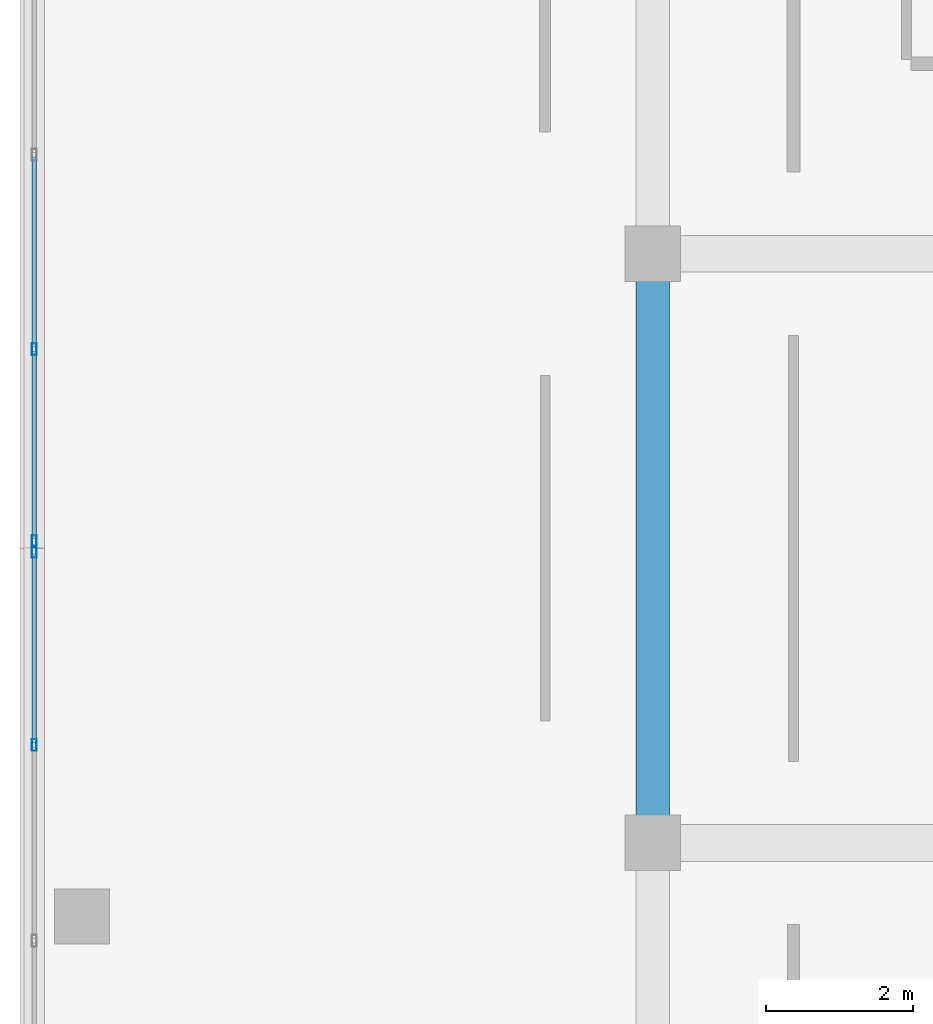
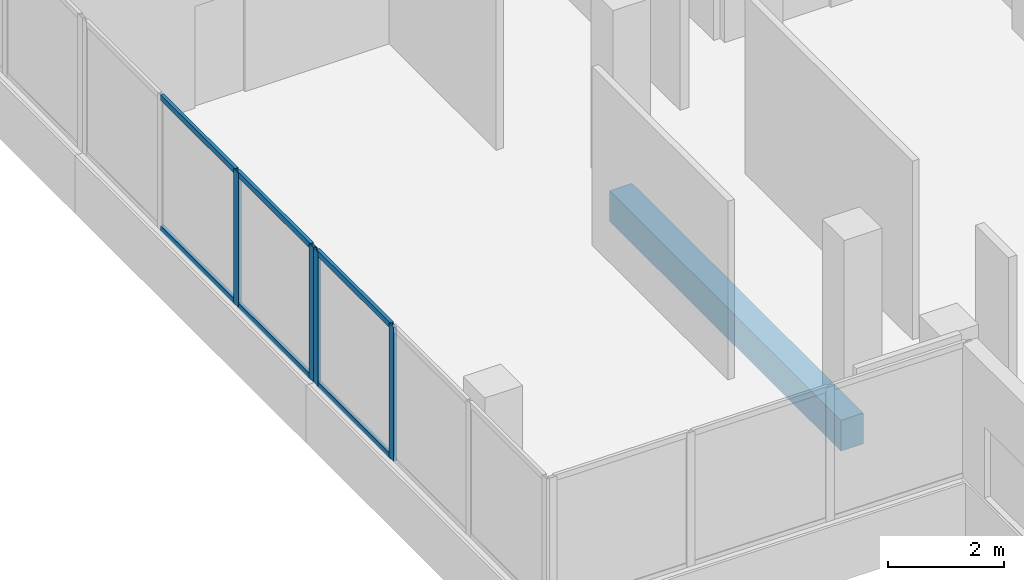
# One storey, part 25 of 101: 10 members, 1 beam, 2 elements without a shape of their own.
"""IFC4 building model written with IfcOpenShell, lengths in metres."""

from ifc_helpers import new_model, si_unit, direction, frame, origin, origin_2d, place, context, subcontext, project, spatial, rectangle, hollow_rectangle, extrude, material, material_profile, profile_set, type_object, element, aggregate, save


model = new_model("IFC4")

# Units and contexts
model_context = context("Model", 3, precision=1e-05, world=origin(), true_north=direction((0.0, 1.0)))
body_context = subcontext(model_context, "Body", "Model", "MODEL_VIEW")
ifc_project = project(units=[si_unit("LENGTHUNIT", "METRE"), si_unit("AREAUNIT", "SQUARE_METRE"), si_unit("VOLUMEUNIT", "CUBIC_METRE"), si_unit("PLANEANGLEUNIT", "RADIAN"), si_unit("MASSUNIT", "GRAM", prefix="KILO")], contexts=[model_context])

# Site, building, storey
site_placement = place(None, origin())
site = spatial("IfcSite", under=ifc_project, at=site_placement, CompositionType="ELEMENT")
building_placement = place(site_placement, origin())
building = spatial("IfcBuilding", under=site, at=building_placement, Name="Selatvlak General Hospital", CompositionType="ELEMENT")
storey_placement = place(building_placement, frame((0.0, 0.0, 19.199951171875)))
storey = spatial("IfcBuildingStorey", under=building, at=storey_placement, Name="L04", CompositionType="ELEMENT", Elevation=19.199951171875)

# Beam
ifc_material_1 = material(Name="Concrete C40/50", Category="concrete")
ifc_material_profile_1 = material_profile(ifc_material_1, rectangle(XDim=0.449951171875, YDim=0.64990234375, at=origin_2d()), Name="RC-BM 450x650")
ifc_profile_set_1 = profile_set([ifc_material_profile_1], Name="Concrete C40/50")
beam_type = type_object("IfcBeamType", Name="BM-G04", PredefinedType="BEAM", material=ifc_profile_set_1)
beam_placement = place(storey_placement, frame((22.800048828125, 92.0, -0.6298828125), z_axis=(0.0, 1.0, 0.0), x_axis=(-1.0, 0.0, 0.0)))
element("IfcBeam", 1, at=beam_placement, inside=storey, type_object=beam_type, Name="Beam BMR-L04-1644", PredefinedType="BEAM", context=body_context, shape_type="SweptSolid", body=[
    extrude(rectangle(XDim=0.449951171875, YDim=0.64990234375, at=origin_2d()), origin(), (0.0, 0.0, 1.0), 8.0),
])

# Curtain wall, members
ifc_material_2 = material(Name="Solar-control Low-E double glazing", Category="glass")
curtain_wall_type_1 = type_object("IfcCurtainWallType", Name="CW-CW-02", PredefinedType="USERDEFINED", material=ifc_material_2)
curtain_wall_1_placement = place(storey_placement, origin())
curtain_wall_1 = element("IfcCurtainWall", 2, at=curtain_wall_1_placement, inside=storey, type_object=curtain_wall_type_1, Name="Glazed facade curtain wall CW-L04-0476", ObjectType="UNITISED CURTAIN WALL", PredefinedType="USERDEFINED")
ifc_material_3 = material(Name="Dark anodised aluminium mullion", Category="aluminium")
ifc_material_profile_2 = material_profile(ifc_material_3, hollow_rectangle(XDim=0.06494140625, YDim=0.159912109375, WallThickness=0.00390625, at=origin_2d()), Name="AL-MUL 65x160x4")
ifc_profile_set_2 = profile_set([ifc_material_profile_2], Name="Dark anodised aluminium mullion")
member_type_1 = type_object("IfcMemberType", Name="CWM-01", PredefinedType="MULLION", material=ifc_profile_set_2)
member_1_placement = place(storey_placement, frame((14.39990234375, 93.328369140625, 0.93994140625), z_axis=(0.0, 0.0, 1.0), x_axis=(-1.0, 0.0, 0.0)))
member_1 = element("IfcMember", 3, at=member_1_placement, type_object=member_type_1, Name="CW-02 mullion 3", PredefinedType="MULLION", context=body_context, shape_type="SweptSolid", body=[
    extrude(hollow_rectangle(XDim=0.06494140625, YDim=0.159912109375, WallThickness=0.00390625, at=origin_2d()), origin(), (0.0, 0.0, 1.0), 2.830078125),
])
member_2_placement = place(storey_placement, frame((14.39990234375, 95.952392578125, 0.93994140625), z_axis=(0.0, 0.0, 1.0), x_axis=(-1.0, 0.0, 0.0)))
member_2 = element("IfcMember", 4, at=member_2_placement, type_object=member_type_1, Name="CW-02 mullion 4", PredefinedType="MULLION", context=body_context, shape_type="SweptSolid", body=[
    extrude(hollow_rectangle(XDim=0.06494140625, YDim=0.159912109375, WallThickness=0.00390625, at=origin_2d()), origin(), (0.0, 0.0, 1.0), 2.830078125),
])

curtain_wall_type_2 = type_object("IfcCurtainWallType", Name="CW-CW-01", PredefinedType="USERDEFINED", material=ifc_material_2)
curtain_wall_2_placement = place(storey_placement, origin())
curtain_wall_2 = element("IfcCurtainWall", 5, at=curtain_wall_2_placement, inside=storey, type_object=curtain_wall_type_2, Name="Glazed facade curtain wall CW-L04-0477", ObjectType="UNITISED CURTAIN WALL", PredefinedType="USERDEFINED")
member_3_placement = place(storey_placement, frame((14.39990234375, 96.097412109375, 0.93994140625), z_axis=(0.0, 0.0, 1.0), x_axis=(-1.0, 0.0, 0.0)))
member_3 = element("IfcMember", 6, at=member_3_placement, type_object=member_type_1, Name="CW-01 mullion 1", PredefinedType="MULLION", context=body_context, shape_type="SweptSolid", body=[
    extrude(hollow_rectangle(XDim=0.06494140625, YDim=0.159912109375, WallThickness=0.00390625, at=origin_2d()), origin(), (0.0, 0.0, 1.0), 2.830078125),
])
member_4_placement = place(storey_placement, frame((14.39990234375, 98.70458984375, 0.93994140625), z_axis=(0.0, 0.0, 1.0), x_axis=(-1.0, 0.0, 0.0)))
member_4 = element("IfcMember", 7, at=member_4_placement, type_object=member_type_1, Name="CW-01 mullion 2", PredefinedType="MULLION", context=body_context, shape_type="SweptSolid", body=[
    extrude(hollow_rectangle(XDim=0.06494140625, YDim=0.159912109375, WallThickness=0.00390625, at=origin_2d()), origin(), (0.0, 0.0, 1.0), 2.830078125),
])

# Member
ifc_material_profile_3 = material_profile(ifc_material_3, hollow_rectangle(XDim=0.06494140625, YDim=0.1201171875, WallThickness=0.00390625, at=origin_2d()), Name="AL-TRN 65x120x4")
ifc_profile_set_3 = profile_set([ifc_material_profile_3], Name="Dark anodised aluminium mullion")
member_type_2 = type_object("IfcMemberType", Name="CWT-01", PredefinedType="USERDEFINED", material=ifc_profile_set_3)
member_5_placement = place(storey_placement, frame((14.39990234375, 93.36083984375, 0.97265625), z_axis=(0.0, 1.0, 0.0), x_axis=(-1.0, 0.0, 0.0)))
member_5 = element("IfcMember", 8, at=member_5_placement, type_object=member_type_2, Name="CW-02 transom 3.1", ObjectType="TRANSOM", PredefinedType="USERDEFINED", context=body_context, shape_type="SweptSolid", body=[
    extrude(hollow_rectangle(XDim=0.06494140625, YDim=0.1201171875, WallThickness=0.00390625, at=origin_2d()), origin(), (0.0, 0.0, 1.0), 2.55908203125),
])

member_6_placement = place(storey_placement, frame((14.39990234375, 93.36083984375, 3.737548828125), z_axis=(0.0, 1.0, 0.0), x_axis=(-1.0, 0.0, 0.0)))
member_6 = element("IfcMember", 9, at=member_6_placement, type_object=member_type_2, Name="CW-02 transom 3.2", ObjectType="TRANSOM", PredefinedType="USERDEFINED", context=body_context, shape_type="SweptSolid", body=[
    extrude(hollow_rectangle(XDim=0.06494140625, YDim=0.1201171875, WallThickness=0.00390625, at=origin_2d()), origin(), (0.0, 0.0, 1.0), 2.55908203125),
])

aggregate(curtain_wall_1, [member_1, member_2, member_5, member_6])

member_7_placement = place(storey_placement, frame((14.39990234375, 96.1298828125, 0.97265625), z_axis=(0.0, 1.0, 0.0), x_axis=(-1.0, 0.0, 0.0)))
member_7 = element("IfcMember", 10, at=member_7_placement, type_object=member_type_2, Name="CW-01 transom 1.1", ObjectType="TRANSOM", PredefinedType="USERDEFINED", context=body_context, shape_type="SweptSolid", body=[
    extrude(hollow_rectangle(XDim=0.06494140625, YDim=0.1201171875, WallThickness=0.00390625, at=origin_2d()), origin(), (0.0, 0.0, 1.0), 2.542236328125),
])

member_8_placement = place(storey_placement, frame((14.39990234375, 96.1298828125, 3.737548828125), z_axis=(0.0, 1.0, 0.0), x_axis=(-1.0, 0.0, 0.0)))
member_8 = element("IfcMember", 11, at=member_8_placement, type_object=member_type_2, Name="CW-01 transom 1.2", ObjectType="TRANSOM", PredefinedType="USERDEFINED", context=body_context, shape_type="SweptSolid", body=[
    extrude(hollow_rectangle(XDim=0.06494140625, YDim=0.1201171875, WallThickness=0.00390625, at=origin_2d()), origin(), (0.0, 0.0, 1.0), 2.542236328125),
])

member_9_placement = place(storey_placement, frame((14.39990234375, 98.737060546875, 0.97265625), z_axis=(0.0, 1.0, 0.0), x_axis=(-1.0, 0.0, 0.0)))
member_9 = element("IfcMember", 12, at=member_9_placement, type_object=member_type_2, Name="CW-01 transom 2.1", ObjectType="TRANSOM", PredefinedType="USERDEFINED", context=body_context, shape_type="SweptSolid", body=[
    extrude(hollow_rectangle(XDim=0.06494140625, YDim=0.1201171875, WallThickness=0.00390625, at=origin_2d()), origin(), (0.0, 0.0, 1.0), 2.57470703125),
])

member_10_placement = place(storey_placement, frame((14.39990234375, 98.737060546875, 3.737548828125), z_axis=(0.0, 1.0, 0.0), x_axis=(-1.0, 0.0, 0.0)))
member_10 = element("IfcMember", 13, at=member_10_placement, type_object=member_type_2, Name="CW-01 transom 2.2", ObjectType="TRANSOM", PredefinedType="USERDEFINED", context=body_context, shape_type="SweptSolid", body=[
    extrude(hollow_rectangle(XDim=0.06494140625, YDim=0.1201171875, WallThickness=0.00390625, at=origin_2d()), origin(), (0.0, 0.0, 1.0), 2.57470703125),
])

aggregate(curtain_wall_2, [member_3, member_4, member_7, member_8, member_9, member_10])

save(model, "model.ifc")
